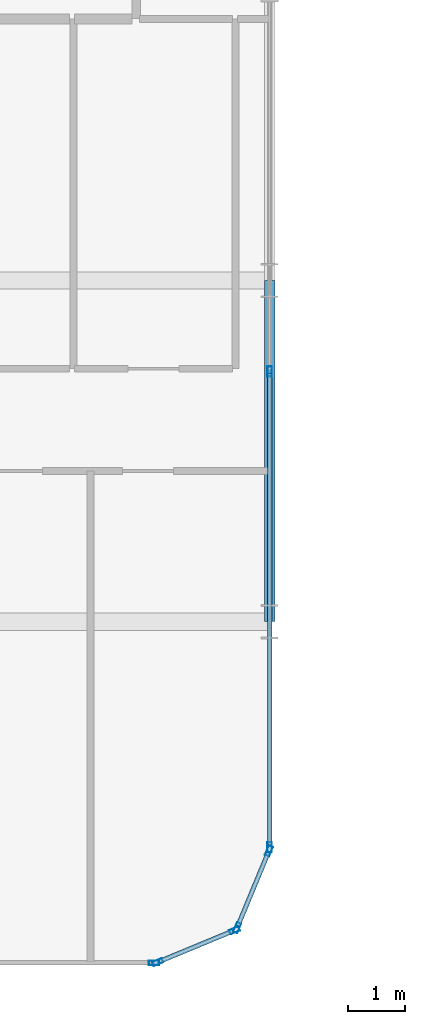
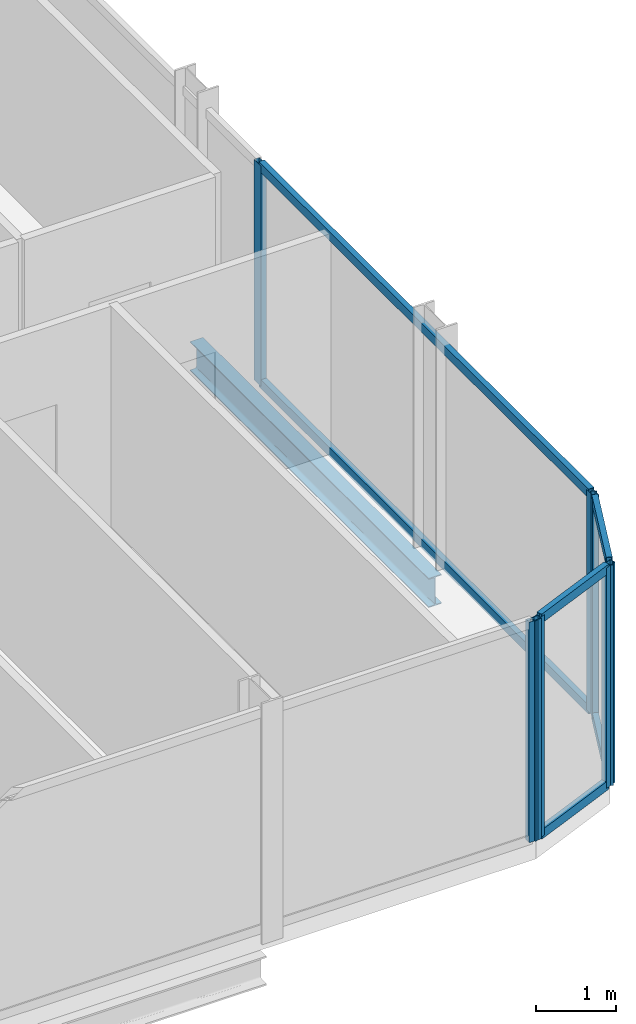
# One storey, part 10 of 29: 13 members, 1 beam, 4 elements without a shape of their own.
"""IFC4 building model written with IfcOpenShell, lengths in metres."""

from ifc_helpers import new_model, si_unit, direction, frame, origin, origin_2d, place, context, subcontext, project, spatial, hollow_rectangle, i_section, extrude, material, layer, layer_set, material_profile, profile_set, type_object, element, aggregate, save


model = new_model("IFC4")

# Units and contexts
model_context = context("Model", 3, precision=1e-05, world=origin(), true_north=direction((0.0, 1.0)))
body_context = subcontext(model_context, "Body", "Model", "MODEL_VIEW")
ifc_project = project(units=[si_unit("LENGTHUNIT", "METRE"), si_unit("AREAUNIT", "SQUARE_METRE"), si_unit("VOLUMEUNIT", "CUBIC_METRE"), si_unit("PLANEANGLEUNIT", "RADIAN"), si_unit("MASSUNIT", "GRAM", prefix="KILO")], contexts=[model_context])

# Site, building, storey
site_placement = place(None, origin())
site = spatial("IfcSite", under=ifc_project, at=site_placement, CompositionType="ELEMENT")
building_placement = place(site_placement, origin())
building = spatial("IfcBuilding", under=site, at=building_placement, Name="Keshet Zoharim Tower", CompositionType="ELEMENT")
storey_placement = place(building_placement, frame((0.0, 0.0, 105.699951171875)))
storey = spatial("IfcBuildingStorey", under=building, at=storey_placement, Name="L25", CompositionType="ELEMENT", Elevation=105.699951171875)

# Beam
ifc_material_1 = material(Name="Steel S355", Category="steel")
ifc_material_profile_1 = material_profile(ifc_material_1, i_section(OverallWidth=0.18994140625, OverallDepth=0.449951171875, WebThickness=0.009521484375, FlangeThickness=0.0146484375, FilletRadius=0.02099609375, at=origin_2d()), Name="IPE450")
ifc_profile_set_1 = profile_set([ifc_material_profile_1], Name="Steel S355")
beam_type = type_object("IfcBeamType", Name="BM-PRI-IP450", PredefinedType="BEAM", material=ifc_profile_set_1)
beam_placement = place(storey_placement, frame((57.0, 6.699951171875, -0.5400390625), z_axis=(0.0, 1.0, 0.0), x_axis=(-1.0, 0.0, 0.0)))
element("IfcBeam", 1, at=beam_placement, inside=storey, type_object=beam_type, Name="L25 Primary Girder Y-013", PredefinedType="BEAM", context=body_context, shape_type="SweptSolid", body=[
    extrude(i_section(OverallWidth=0.18994140625, OverallDepth=0.449951171875, WebThickness=0.009521484375, FlangeThickness=0.0146484375, FilletRadius=0.02099609375, at=origin_2d()), origin(), (0.0, 0.0, 1.0), 6.0),
])

# Curtain wall, members
ifc_material_2 = material(Name="Aluminium 6063-T6", Category="aluminium")
ifc_layer = layer(ifc_material_2, 0.159912109375)
ifc_layer_set = layer_set([ifc_layer], Name="Aluminium 6063-T6")
curtain_wall_type = type_object("IfcCurtainWallType", Name="CW-SYS-03", PredefinedType="NOTDEFINED", material=ifc_layer_set)
curtain_wall_1_placement = place(storey_placement, origin())
curtain_wall_1 = element("IfcCurtainWall", 2, at=curtain_wall_1_placement, inside=storey, type_object=curtain_wall_type, Name="L25 Unitised Curtain Wall 01", PredefinedType="NOTDEFINED")
ifc_material_profile_2 = material_profile(ifc_material_2, hollow_rectangle(XDim=0.080078125, YDim=0.179931640625, WallThickness=0.00439453125, at=origin_2d()), Name="MUL-80x180")
ifc_profile_set_2 = profile_set([ifc_material_profile_2], Name="Aluminium 6063-T6")
member_type_1 = type_object("IfcMemberType", Name="CWM-M18", PredefinedType="MULLION", material=ifc_profile_set_2)
member_1_placement = place(storey_placement, frame((56.986572265625, 2.667724609375, 0.0), z_axis=(0.0, 0.0, 1.0), x_axis=(0.92380975372, -0.382851849847, 0.0)))
member_1 = element("IfcMember", 3, at=member_1_placement, type_object=member_type_1, Name="CW-03 mullion 1", PredefinedType="MULLION", context=body_context, shape_type="SweptSolid", body=[
    extrude(hollow_rectangle(XDim=0.080078125, YDim=0.179931640625, WallThickness=0.00439453125, at=origin_2d()), origin(), (0.0, 0.0, 1.0), 3.385009765625),
])
member_2_placement = place(storey_placement, frame((56.427490234375, 1.318359375, 0.0), z_axis=(0.0, 0.0, 1.0), x_axis=(0.92380975372, -0.382851849847, 0.0)))
member_2 = element("IfcMember", 4, at=member_2_placement, type_object=member_type_1, Name="CW-03 mullion 2", PredefinedType="MULLION", context=body_context, shape_type="SweptSolid", body=[
    extrude(hollow_rectangle(XDim=0.080078125, YDim=0.179931640625, WallThickness=0.00439453125, at=origin_2d()), origin(), (0.0, 0.0, 1.0), 3.385009765625),
])

curtain_wall_2_placement = place(storey_placement, origin())
curtain_wall_2 = element("IfcCurtainWall", 5, at=curtain_wall_2_placement, inside=storey, type_object=curtain_wall_type, Name="L25 Unitised Curtain Wall 02", PredefinedType="NOTDEFINED")
member_3_placement = place(storey_placement, frame((56.381591796875, 1.272705078125, 0.0), z_axis=(0.0, 0.0, 1.0), x_axis=(0.382851849847, -0.92380975372, 0.0)))
member_3 = element("IfcMember", 6, at=member_3_placement, type_object=member_type_1, Name="CW-03 mullion 1", PredefinedType="MULLION", context=body_context, shape_type="SweptSolid", body=[
    extrude(hollow_rectangle(XDim=0.080078125, YDim=0.179931640625, WallThickness=0.00439453125, at=origin_2d()), origin(), (0.0, 0.0, 1.0), 3.385009765625),
])
member_4_placement = place(storey_placement, frame((55.0322265625, 0.71337890625, 0.0), z_axis=(0.0, 0.0, 1.0), x_axis=(0.382851849847, -0.92380975372, 0.0)))
member_4 = element("IfcMember", 7, at=member_4_placement, type_object=member_type_1, Name="CW-03 mullion 2", PredefinedType="MULLION", context=body_context, shape_type="SweptSolid", body=[
    extrude(hollow_rectangle(XDim=0.080078125, YDim=0.179931640625, WallThickness=0.00439453125, at=origin_2d()), origin(), (0.0, 0.0, 1.0), 3.385009765625),
])

# Curtain wall, member
curtain_wall_3_placement = place(storey_placement, origin())
curtain_wall_3 = element("IfcCurtainWall", 8, at=curtain_wall_3_placement, inside=storey, type_object=curtain_wall_type, Name="L25 Unitised Curtain Wall 03", PredefinedType="NOTDEFINED")
member_5_placement = place(storey_placement, frame((54.965087890625, 0.699951171875, 0.0), z_axis=(0.0, 0.0, 1.0), x_axis=(0.0, -1.0, 0.0)))
member_5 = element("IfcMember", 9, at=member_5_placement, type_object=member_type_1, Name="CW-03 mullion 1", PredefinedType="MULLION", context=body_context, shape_type="SweptSolid", body=[
    extrude(hollow_rectangle(XDim=0.080078125, YDim=0.179931640625, WallThickness=0.00439453125, at=origin_2d()), origin(), (0.0, 0.0, 1.0), 3.385009765625),
])
aggregate(curtain_wall_3, [member_5])

# Curtain wall, members
curtain_wall_4_placement = place(storey_placement, origin())
curtain_wall_4 = element("IfcCurtainWall", 10, at=curtain_wall_4_placement, inside=storey, type_object=curtain_wall_type, Name="L25 Unitised Curtain Wall 19", PredefinedType="NOTDEFINED")
member_6_placement = place(storey_placement, frame((57.0, 11.10009765625, 0.0), z_axis=(0.0, 0.0, 1.0), x_axis=(1.0, 0.0, 0.0)))
member_6 = element("IfcMember", 11, at=member_6_placement, type_object=member_type_1, Name="CW-03 mullion 3", PredefinedType="MULLION", context=body_context, shape_type="SweptSolid", body=[
    extrude(hollow_rectangle(XDim=0.080078125, YDim=0.179931640625, WallThickness=0.00439453125, at=origin_2d()), origin(), (0.0, 0.0, 1.0), 3.385009765625),
])
member_7_placement = place(storey_placement, frame((57.0, 2.735107421875, 0.0), z_axis=(0.0, 0.0, 1.0), x_axis=(1.0, 0.0, 0.0)))
member_7 = element("IfcMember", 12, at=member_7_placement, type_object=member_type_1, Name="CW-03 mullion 4", PredefinedType="MULLION", context=body_context, shape_type="SweptSolid", body=[
    extrude(hollow_rectangle(XDim=0.080078125, YDim=0.179931640625, WallThickness=0.00439453125, at=origin_2d()), origin(), (0.0, 0.0, 1.0), 3.385009765625),
])

# Member
ifc_material_profile_3 = material_profile(ifc_material_2, hollow_rectangle(XDim=0.080078125, YDim=0.139892578125, WallThickness=0.00390625, at=origin_2d()), Name="TRN-80x140")
ifc_profile_set_3 = profile_set([ifc_material_profile_3], Name="Aluminium 6063-T6")
member_type_2 = type_object("IfcMemberType", Name="CWT-T14", PredefinedType="USERDEFINED", material=ifc_profile_set_3)
member_8_placement = place(storey_placement, frame((56.97314453125, 2.63525390625, 0.03515625), z_axis=(-0.382744609247, -0.923854189844, 0.0), x_axis=(0.923854189844, -0.382744609247, 0.0)))
member_8 = element("IfcMember", 13, at=member_8_placement, type_object=member_type_2, Name="CW-03 transom 1.1", ObjectType="TRANSOM", PredefinedType="USERDEFINED", context=body_context, shape_type="SweptSolid", body=[
    extrude(hollow_rectangle(XDim=0.080078125, YDim=0.139892578125, WallThickness=0.00390625, at=origin_2d()), origin(), (0.0, 0.0, 1.0), 1.390625),
])

member_9_placement = place(storey_placement, frame((56.97314453125, 2.63525390625, 3.35009765625), z_axis=(-0.382744609247, -0.923854189844, 0.0), x_axis=(0.923854189844, -0.382744609247, 0.0)))
member_9 = element("IfcMember", 14, at=member_9_placement, type_object=member_type_2, Name="CW-03 transom 1.2", ObjectType="TRANSOM", PredefinedType="USERDEFINED", context=body_context, shape_type="SweptSolid", body=[
    extrude(hollow_rectangle(XDim=0.080078125, YDim=0.139892578125, WallThickness=0.00390625, at=origin_2d()), origin(), (0.0, 0.0, 1.0), 1.390625),
])

aggregate(curtain_wall_1, [member_1, member_2, member_8, member_9])

member_10_placement = place(storey_placement, frame((56.349365234375, 1.25927734375, 0.03515625), z_axis=(-0.92379209995, -0.382894445076, 0.0), x_axis=(0.382894445076, -0.92379209995, 0.0)))
member_10 = element("IfcMember", 15, at=member_10_placement, type_object=member_type_2, Name="CW-03 transom 1.1", ObjectType="TRANSOM", PredefinedType="USERDEFINED", context=body_context, shape_type="SweptSolid", body=[
    extrude(hollow_rectangle(XDim=0.080078125, YDim=0.139892578125, WallThickness=0.00390625, at=origin_2d()), origin(), (0.0, 0.0, 1.0), 1.390625),
])

member_11_placement = place(storey_placement, frame((56.349365234375, 1.25927734375, 3.35009765625), z_axis=(-0.92379209995, -0.382894445076, 0.0), x_axis=(0.382894445076, -0.92379209995, 0.0)))
member_11 = element("IfcMember", 16, at=member_11_placement, type_object=member_type_2, Name="CW-03 transom 1.2", ObjectType="TRANSOM", PredefinedType="USERDEFINED", context=body_context, shape_type="SweptSolid", body=[
    extrude(hollow_rectangle(XDim=0.080078125, YDim=0.139892578125, WallThickness=0.00390625, at=origin_2d()), origin(), (0.0, 0.0, 1.0), 1.390625),
])

aggregate(curtain_wall_2, [member_3, member_4, member_10, member_11])

member_12_placement = place(storey_placement, frame((57.0, 11.06494140625, 0.03515625), z_axis=(0.0, -1.0, 0.0), x_axis=(1.0, 0.0, 0.0)))
member_12 = element("IfcMember", 17, at=member_12_placement, type_object=member_type_2, Name="CW-03 transom 3.1", ObjectType="TRANSOM", PredefinedType="USERDEFINED", context=body_context, shape_type="SweptSolid", body=[
    extrude(hollow_rectangle(XDim=0.080078125, YDim=0.139892578125, WallThickness=0.00390625, at=origin_2d()), origin(), (0.0, 0.0, 1.0), 8.294921875),
])

member_13_placement = place(storey_placement, frame((57.0, 11.06494140625, 3.35009765625), z_axis=(0.0, -1.0, 0.0), x_axis=(1.0, 0.0, 0.0)))
member_13 = element("IfcMember", 18, at=member_13_placement, type_object=member_type_2, Name="CW-03 transom 3.2", ObjectType="TRANSOM", PredefinedType="USERDEFINED", context=body_context, shape_type="SweptSolid", body=[
    extrude(hollow_rectangle(XDim=0.080078125, YDim=0.139892578125, WallThickness=0.00390625, at=origin_2d()), origin(), (0.0, 0.0, 1.0), 8.294921875),
])

aggregate(curtain_wall_4, [member_6, member_7, member_12, member_13])

save(model, "model.ifc")
